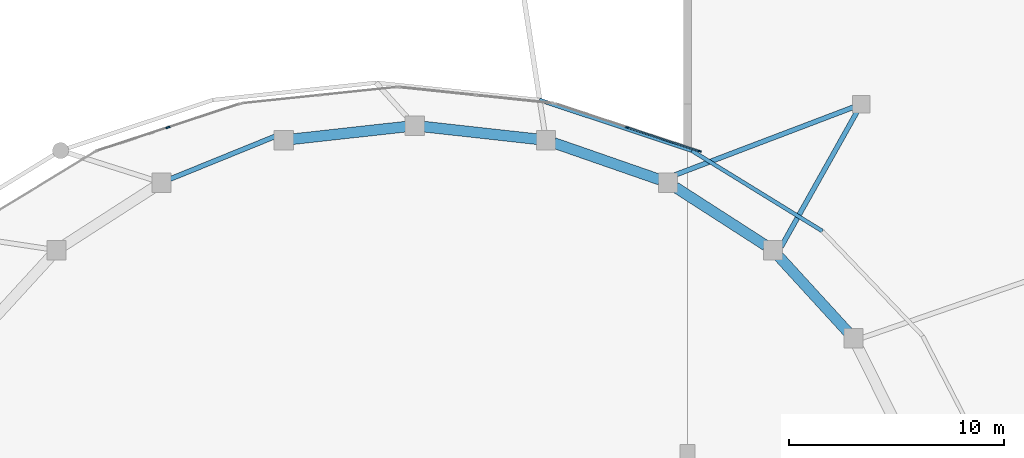
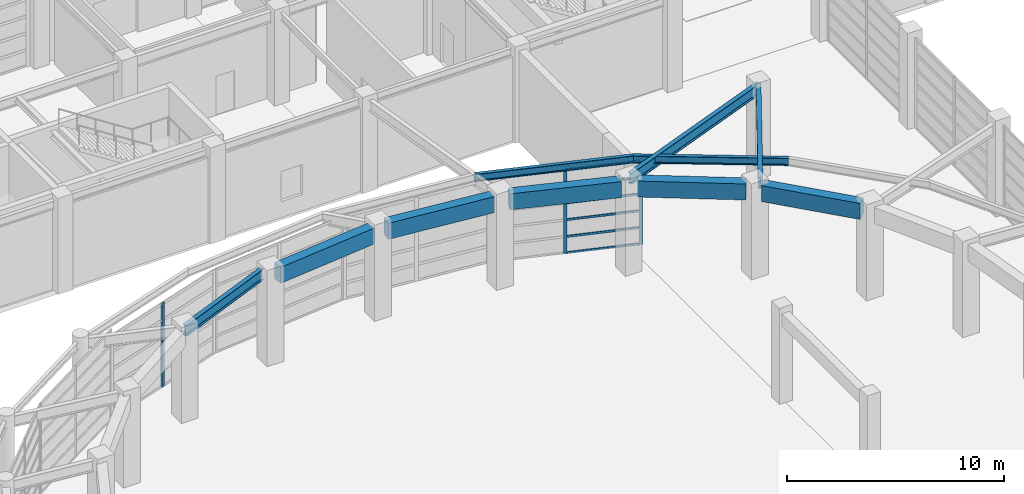
# One storey, part 8 of 52: 10 beams, 9 members, 2 elements without a shape of their own.
"""IFC4 building model written with IfcOpenShell, lengths in metres."""

from ifc_helpers import new_model, si_unit, direction, frame, origin, origin_2d, place, context, subcontext, project, spatial, rectangle, i_section, extrude, material, material_profile, profile_set, type_object, element, aggregate, save


model = new_model("IFC4")

# Units and contexts
model_context = context("Model", 3, precision=1e-05, world=origin(), true_north=direction((0.0, 1.0)))
body_context = subcontext(model_context, "Body", "Model", "MODEL_VIEW")
ifc_project = project(units=[si_unit("LENGTHUNIT", "METRE"), si_unit("AREAUNIT", "SQUARE_METRE"), si_unit("VOLUMEUNIT", "CUBIC_METRE"), si_unit("PLANEANGLEUNIT", "RADIAN"), si_unit("MASSUNIT", "GRAM", prefix="KILO")], contexts=[model_context])

# Site, building, storey
site_placement = place(None, origin())
site = spatial("IfcSite", under=ifc_project, at=site_placement, CompositionType="ELEMENT")
building_placement = place(site_placement, origin())
building = spatial("IfcBuilding", under=site, at=building_placement, Name="Parian Resonance Hall", CompositionType="ELEMENT")
storey_placement = place(building_placement, origin())
storey = spatial("IfcBuildingStorey", under=building, at=storey_placement, Name="L00", CompositionType="ELEMENT", Elevation=0.0)

# Beams
ifc_material_1 = material(Name="Concrete C40/50", Category="concrete")
ifc_material_profile_1 = material_profile(ifc_material_1, rectangle(XDim=0.5, YDim=0.89990234375, at=origin_2d()), Name="RC-BM-500x900")
ifc_profile_set_1 = profile_set([ifc_material_profile_1], Name="Concrete C40/50")
beam_type_1 = type_object("IfcBeamType", Name="BM-RC500x900", PredefinedType="USERDEFINED", material=ifc_profile_set_1)
beam_1_placement = place(storey_placement, frame((64.168212890625, 54.1953125, 4.679931640625), z_axis=(-0.674892190981, 0.737916343872, 0.0), x_axis=(-0.737916343872, -0.674892190981, 0.0)))
element("IfcBeam", 1, at=beam_1_placement, inside=storey, type_object=beam_type_1, Name="Concert hall drum ring beam L00-03", ObjectType="GIRDER", PredefinedType="USERDEFINED", context=body_context, shape_type="SweptSolid", body=[
    extrude(rectangle(XDim=0.5, YDim=0.89990234375, at=origin_2d()), origin(), (0.0, 0.0, 1.0), 4.757080078125),
])
beam_2_placement = place(storey_placement, frame((60.351318359375, 58.21728515625, 4.679931640625), z_axis=(-0.840822266108, 0.541311293819, 0.0), x_axis=(-0.541311293819, -0.840822266108, 0.0)))
element("IfcBeam", 2, at=beam_2_placement, inside=storey, type_object=beam_type_1, Name="Concert hall drum ring beam L00-04", ObjectType="GIRDER", PredefinedType="USERDEFINED", context=body_context, shape_type="SweptSolid", body=[
    extrude(rectangle(XDim=0.5, YDim=0.89990234375, at=origin_2d()), origin(), (0.0, 0.0, 1.0), 5.012939453125),
])
beam_3_placement = place(storey_placement, frame((55.422119140625, 61.278564453125, 4.679931640625), z_axis=(-0.944593815742, 0.328241562362, 0.0), x_axis=(-0.328241562362, -0.944593815742, 0.0)))
element("IfcBeam", 3, at=beam_3_placement, inside=storey, type_object=beam_type_1, Name="Concert hall drum ring beam L00-05", ObjectType="GIRDER", PredefinedType="USERDEFINED", context=body_context, shape_type="SweptSolid", body=[
    extrude(rectangle(XDim=0.5, YDim=0.89990234375, at=origin_2d()), origin(), (0.0, 0.0, 1.0), 5.225830078125),
])
for number, where, z_axis, x_axis, name in (
    (4, (49.71044921875, 63.169189453125, 4.679931640625), (-0.993953165009, 0.109804853117, 0.0), (-0.109804853117, -0.993953165009, 0.0), "Concert hall drum ring beam L00-06"),
    (5, (43.602294921875, 63.756103515625, 4.679931640625), (-0.993953165009, -0.109804853117, 0.0), (0.109804853117, -0.993953165009, 0.0), "Concert hall drum ring beam L00-07"),
):
    element("IfcBeam", number, at=place(storey_placement, frame(where, z_axis=z_axis, x_axis=x_axis)), inside=storey, type_object=beam_type_1, Name=name, ObjectType="GIRDER", PredefinedType="USERDEFINED", context=body_context, shape_type="SweptSolid", body=[
        extrude(rectangle(XDim=0.5, YDim=0.89990234375, at=origin_2d()), origin(), (0.0, 0.0, 1.0), 5.344970703125),
    ])
ifc_material_2 = material(Name="Steel S355", Category="steel")
ifc_material_profile_2 = material_profile(ifc_material_2, i_section(OverallWidth=0.180908203125, OverallDepth=0.4169921875, WebThickness=0.010986328125, FlangeThickness=0.018310546875, FilletRadius=0.01513671875, at=origin_2d()), Name="W410x85")
ifc_profile_set_2 = profile_set([ifc_material_profile_2], Name="Steel S355")
beam_type_2 = type_object("IfcBeamType", Name="BM-W410x85", PredefinedType="SPANDREL", material=ifc_profile_set_2)
beam_4_placement = place(storey_placement, frame((62.989013671875, 58.8876953125, 4.92138671875), z_axis=(-0.851449608459, 0.52443642537, 0.0), x_axis=(-0.52443642537, -0.851449608459, 0.0)))
element("IfcBeam", 6, at=beam_4_placement, inside=storey, type_object=beam_type_2, Name="Elliptical R1 perimeter spandrel beam 04", PredefinedType="SPANDREL", context=body_context, shape_type="SweptSolid", body=[
    extrude(i_section(OverallWidth=0.180908203125, OverallDepth=0.4169921875, WebThickness=0.010986328125, FlangeThickness=0.018310546875, FilletRadius=0.01513671875, at=origin_2d()), origin(), (0.0, 0.0, 1.0), 7.1513671875),
])
beam_5_placement = place(storey_placement, frame((56.89990234375, 62.63818359375, 4.92138671875), z_axis=(-0.948918280242, 0.315521944438, 0.0), x_axis=(-0.315521944438, -0.948918280242, 0.0)))
element("IfcBeam", 7, at=beam_5_placement, inside=storey, type_object=beam_type_2, Name="Elliptical R1 perimeter spandrel beam 05", PredefinedType="SPANDREL", context=body_context, shape_type="SweptSolid", body=[
    extrude(i_section(OverallWidth=0.180908203125, OverallDepth=0.4169921875, WebThickness=0.010986328125, FlangeThickness=0.018310546875, FilletRadius=0.01513671875, at=origin_2d()), origin(), (0.0, 0.0, 1.0), 7.47216796875),
])
ifc_material_3 = material(Name="Steel S355", Category="steel")
ifc_material_profile_3 = material_profile(ifc_material_3, i_section(OverallWidth=0.22998046875, OverallDepth=0.616943359375, WebThickness=0.01318359375, FlangeThickness=0.022216796875, FilletRadius=0.017822265625, at=origin_2d()), Name="W610x140")
ifc_profile_set_3 = profile_set([ifc_material_profile_3], Name="Steel S355")
beam_type_3 = type_object("IfcBeamType", Name="CG1 W610x140", PredefinedType="USERDEFINED", material=ifc_profile_set_3)
beam_6_placement = place(storey_placement, frame((61.060791015625, 58.14453125, 4.821533203125), z_axis=(0.48981629301, 0.871825670132, 0.0), x_axis=(-0.871825670132, 0.48981629301, 0.0)))
element("IfcBeam", 8, at=beam_6_placement, inside=storey, type_object=beam_type_3, Name="Radial spine girder R1-04", ObjectType="GIRDER", PredefinedType="USERDEFINED", context=body_context, shape_type="SweptSolid", body=[
    extrude(i_section(OverallWidth=0.22998046875, OverallDepth=0.616943359375, WebThickness=0.01318359375, FlangeThickness=0.022216796875, FilletRadius=0.017822265625, at=origin_2d()), origin(), (0.0, 0.0, 1.0), 7.634033203125),
])
beam_7_placement = place(storey_placement, frame((56.03759765625, 61.46923828125, 4.821533203125), z_axis=(0.934745351208, 0.355318347957, 0.0), x_axis=(-0.355318347957, 0.934745351208, 0.0)))
element("IfcBeam", 9, at=beam_7_placement, inside=storey, type_object=beam_type_3, Name="Radial spine girder R1-05", ObjectType="GIRDER", PredefinedType="USERDEFINED", context=body_context, shape_type="SweptSolid", body=[
    extrude(i_section(OverallWidth=0.22998046875, OverallDepth=0.616943359375, WebThickness=0.01318359375, FlangeThickness=0.022216796875, FilletRadius=0.017822265625, at=origin_2d()), origin(), (0.0, 0.0, 1.0), 9.374267578125),
])
beam_8_placement = place(storey_placement, frame((37.5439453125, 63.322509765625, 4.821533203125), z_axis=(-0.926369239275, -0.376616559016, 0.0), x_axis=(0.376616559016, -0.926369239275, 0.0)))
element("IfcBeam", 10, at=beam_8_placement, inside=storey, type_object=beam_type_3, Name="Radial spine girder R1-08", ObjectType="GIRDER", PredefinedType="USERDEFINED", context=body_context, shape_type="SweptSolid", body=[
    extrude(i_section(OverallWidth=0.22998046875, OverallDepth=0.616943359375, WebThickness=0.01318359375, FlangeThickness=0.022216796875, FilletRadius=0.017822265625, at=origin_2d()), origin(), (0.0, 0.0, 1.0), 5.768798828125),
])

# Curtain wall, members
ifc_material_4 = material(Name="Bronze-anodised aluminium frame", Category="aluminium")
curtain_wall_type_1 = type_object("IfcCurtainWallType", Name="CW-SYS-05", PredefinedType="NOTDEFINED", material=ifc_material_4)
curtain_wall_1_placement = place(storey_placement, origin())
curtain_wall_1 = element("IfcCurtainWall", 11, at=curtain_wall_1_placement, inside=storey, type_object=curtain_wall_type_1, Name="Grand foyer recessed base curtain wall 05", PredefinedType="NOTDEFINED")
ifc_material_5 = material(Name="Bronze-anodised aluminium frame", Category="aluminium")
ifc_material_profile_4 = material_profile(ifc_material_5, rectangle(XDim=0.06494140625, YDim=0.159912109375, at=origin_2d()), Name="CWM-65x160")
ifc_profile_set_4 = profile_set([ifc_material_profile_4], Name="Bronze-anodised aluminium frame")
member_type_1 = type_object("IfcMemberType", Name="CWM-65x160", PredefinedType="MULLION", material=ifc_profile_set_4)
member_1_placement = place(storey_placement, frame((53.8994140625, 63.7177734375, -0.008056640625), z_axis=(0.0, 0.0, 1.0), x_axis=(0.312529813739, 0.94990795108, 0.0)))
member_1 = element("IfcMember", 12, at=member_1_placement, type_object=member_type_1, Name="CW-05 mullion 2", PredefinedType="MULLION", context=body_context, shape_type="SweptSolid", body=[
    extrude(rectangle(XDim=0.06494140625, YDim=0.159912109375, at=origin_2d()), origin(), (0.0, 0.0, 1.0), 4.72509765625),
])
member_2_placement = place(storey_placement, frame((57.26904296875, 62.609130859375, -0.008056640625), z_axis=(0.0, 0.0, 1.0), x_axis=(0.312529813739, 0.94990795108, 0.0)))
member_2 = element("IfcMember", 13, at=member_2_placement, type_object=member_type_1, Name="CW-05 mullion 3", PredefinedType="MULLION", context=body_context, shape_type="SweptSolid", body=[
    extrude(rectangle(XDim=0.06494140625, YDim=0.159912109375, at=origin_2d()), origin(), (0.0, 0.0, 1.0), 4.72509765625),
])

# Curtain wall, member
ifc_material_6 = material(Name="Bronze-anodised aluminium frame", Category="aluminium")
curtain_wall_type_2 = type_object("IfcCurtainWallType", Name="CW-SYS-02", PredefinedType="NOTDEFINED", material=ifc_material_6)
curtain_wall_2_placement = place(storey_placement, origin())
curtain_wall_2 = element("IfcCurtainWall", 14, at=curtain_wall_2_placement, inside=storey, type_object=curtain_wall_type_2, Name="Grand foyer recessed base curtain wall 08", PredefinedType="NOTDEFINED")
ifc_material_7 = material(Name="Bronze-anodised aluminium frame", Category="aluminium")
ifc_material_profile_5 = material_profile(ifc_material_7, rectangle(XDim=0.074951171875, YDim=0.199951171875, at=origin_2d()), Name="CWM-75x200")
ifc_profile_set_5 = profile_set([ifc_material_profile_5], Name="Bronze-anodised aluminium frame")
member_type_2 = type_object("IfcMemberType", Name="CWM-75x200", PredefinedType="MULLION", material=ifc_profile_set_5)
member_3_placement = place(storey_placement, frame((32.500732421875, 63.7177734375, -0.008056640625), z_axis=(0.0, 0.0, 1.0), x_axis=(-0.312529813739, 0.94990795108, 0.0)))
member_3 = element("IfcMember", 15, at=member_3_placement, type_object=member_type_2, Name="CW-02 mullion 2", PredefinedType="MULLION", context=body_context, shape_type="SweptSolid", body=[
    extrude(rectangle(XDim=0.074951171875, YDim=0.199951171875, at=origin_2d()), origin(), (0.0, 0.0, 1.0), 4.72509765625),
])
aggregate(curtain_wall_2, [member_3])

# Member
ifc_material_8 = material(Name="Bronze-anodised aluminium frame", Category="aluminium")
ifc_material_profile_6 = material_profile(ifc_material_8, rectangle(XDim=0.06494140625, YDim=0.1201171875, at=origin_2d()), Name="CWT-65x120")
ifc_profile_set_6 = profile_set([ifc_material_profile_6], Name="Bronze-anodised aluminium frame")
member_type_3 = type_object("IfcMemberType", Name="CWT-65x120", PredefinedType="USERDEFINED", material=ifc_profile_set_6)
member_4_placement = place(storey_placement, frame((53.93017578125, 63.707763671875, 0.0244140625), z_axis=(0.949909908252, -0.312523865017, 0.0), x_axis=(0.312523865017, 0.949909908252, 0.0)))
member_4 = element("IfcMember", 16, at=member_4_placement, type_object=member_type_3, Name="CW-05 transom 2.1", ObjectType="TRANSOM", PredefinedType="USERDEFINED", context=body_context, shape_type="SweptSolid", body=[
    extrude(rectangle(XDim=0.06494140625, YDim=0.1201171875, at=origin_2d()), origin(), (0.0, 0.0, 1.0), 3.482666015625),
])

member_5_placement = place(storey_placement, frame((53.93017578125, 63.707763671875, 0.94140625), z_axis=(0.949909908252, -0.312523865017, 0.0), x_axis=(0.312523865017, 0.949909908252, 0.0)))
member_5 = element("IfcMember", 17, at=member_5_placement, type_object=member_type_3, Name="CW-05 transom 2.2", ObjectType="TRANSOM", PredefinedType="USERDEFINED", context=body_context, shape_type="SweptSolid", body=[
    extrude(rectangle(XDim=0.06494140625, YDim=0.1201171875, at=origin_2d()), origin(), (0.0, 0.0, 1.0), 3.482666015625),
])

member_6_placement = place(storey_placement, frame((53.93017578125, 63.707763671875, 1.8828125), z_axis=(0.949909908252, -0.312523865017, 0.0), x_axis=(0.312523865017, 0.949909908252, 0.0)))
member_6 = element("IfcMember", 18, at=member_6_placement, type_object=member_type_3, Name="CW-05 transom 2.3", ObjectType="TRANSOM", PredefinedType="USERDEFINED", context=body_context, shape_type="SweptSolid", body=[
    extrude(rectangle(XDim=0.06494140625, YDim=0.1201171875, at=origin_2d()), origin(), (0.0, 0.0, 1.0), 3.482666015625),
])

member_7_placement = place(storey_placement, frame((53.93017578125, 63.707763671875, 2.82421875), z_axis=(0.949909908252, -0.312523865017, 0.0), x_axis=(0.312523865017, 0.949909908252, 0.0)))
member_7 = element("IfcMember", 19, at=member_7_placement, type_object=member_type_3, Name="CW-05 transom 2.4", ObjectType="TRANSOM", PredefinedType="USERDEFINED", context=body_context, shape_type="SweptSolid", body=[
    extrude(rectangle(XDim=0.06494140625, YDim=0.1201171875, at=origin_2d()), origin(), (0.0, 0.0, 1.0), 3.482666015625),
])

member_8_placement = place(storey_placement, frame((53.93017578125, 63.707763671875, 3.765625), z_axis=(0.949909908252, -0.312523865017, 0.0), x_axis=(0.312523865017, 0.949909908252, 0.0)))
member_8 = element("IfcMember", 20, at=member_8_placement, type_object=member_type_3, Name="CW-05 transom 2.5", ObjectType="TRANSOM", PredefinedType="USERDEFINED", context=body_context, shape_type="SweptSolid", body=[
    extrude(rectangle(XDim=0.06494140625, YDim=0.1201171875, at=origin_2d()), origin(), (0.0, 0.0, 1.0), 3.482666015625),
])

member_9_placement = place(storey_placement, frame((53.93017578125, 63.707763671875, 4.6845703125), z_axis=(0.949909908252, -0.312523865017, 0.0), x_axis=(0.312523865017, 0.949909908252, 0.0)))
member_9 = element("IfcMember", 21, at=member_9_placement, type_object=member_type_3, Name="CW-05 transom 2.6", ObjectType="TRANSOM", PredefinedType="USERDEFINED", context=body_context, shape_type="SweptSolid", body=[
    extrude(rectangle(XDim=0.06494140625, YDim=0.1201171875, at=origin_2d()), origin(), (0.0, 0.0, 1.0), 3.482666015625),
])

aggregate(curtain_wall_1, [member_1, member_2, member_4, member_5, member_6, member_7, member_8, member_9])

save(model, "model.ifc")
